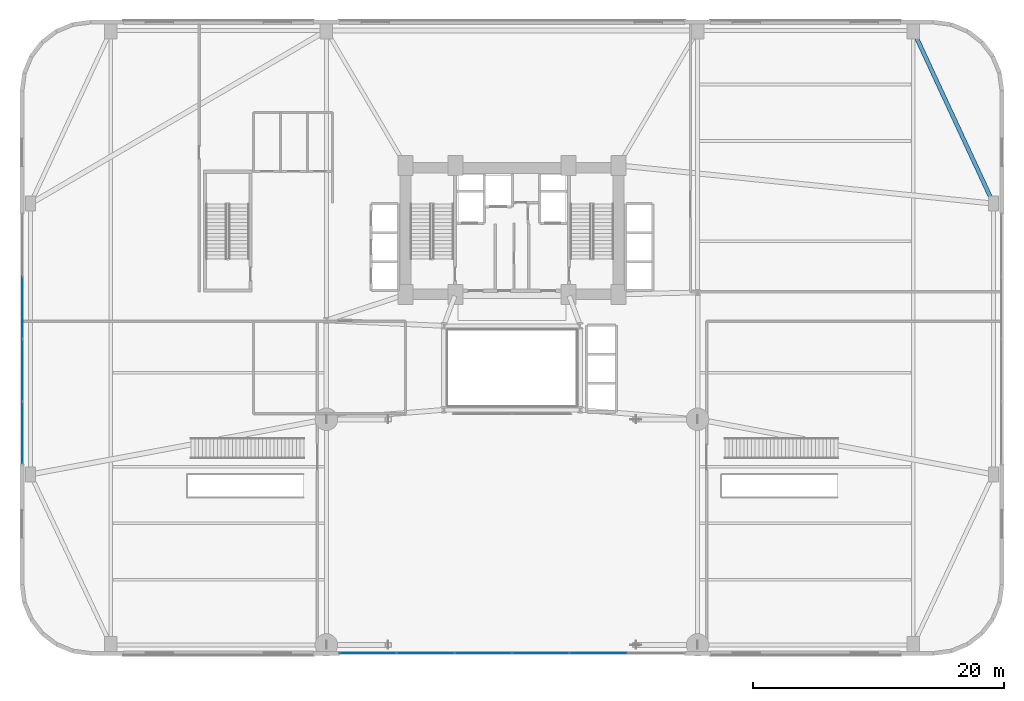
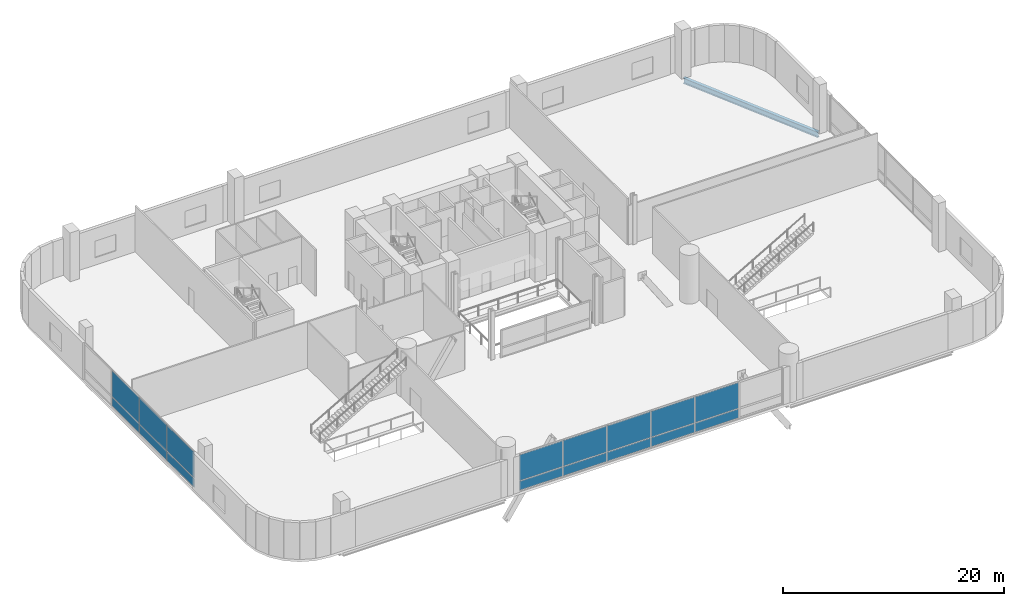
# One storey, part 24 of 40: 16 plates, 1 beam, 2 elements without a shape of their own.
"""IFC4 building model written with IfcOpenShell, lengths in metres."""

from ifc_helpers import new_model, si_unit, direction, frame, origin, origin_2d, place, context, subcontext, project, spatial, rectangle, i_section, extrude, source, transform, mapped, material, layer, layer_set, material_profile, profile_set, type_object, element, aggregate, save


model = new_model("IFC4")

# Units and contexts
model_context = context("Model", 3, precision=1e-05, world=origin(), true_north=direction((0.0, 1.0)))
body_context = subcontext(model_context, "Body", "Model", "MODEL_VIEW")
ifc_project = project(units=[si_unit("LENGTHUNIT", "METRE"), si_unit("AREAUNIT", "SQUARE_METRE"), si_unit("VOLUMEUNIT", "CUBIC_METRE"), si_unit("PLANEANGLEUNIT", "RADIAN"), si_unit("MASSUNIT", "GRAM", prefix="KILO")], contexts=[model_context])

# Site, building, storey
site_placement = place(None, origin())
site = spatial("IfcSite", under=ifc_project, at=site_placement, CompositionType="ELEMENT")
building_placement = place(site_placement, origin())
building = spatial("IfcBuilding", under=site, at=building_placement, Name="Varnelok Gate Tower", CompositionType="ELEMENT")
storey_placement = place(building_placement, frame((0.0, 0.0, 5.39990234375)))
storey = spatial("IfcBuildingStorey", under=building, at=storey_placement, Name="L01", CompositionType="ELEMENT", Elevation=5.39990234375)

# Beam
ifc_material_1 = material(Name="Structural Steel ASTM A992 Grade 50", Category="steel")
ifc_material_profile = material_profile(ifc_material_1, i_section(OverallWidth=0.323974609375, OverallDepth=0.611083984375, WebThickness=0.0126953125, FlangeThickness=0.01904296875, FilletRadius=0.01806640625, at=origin_2d()), Name="W24X104")
ifc_profile_set = profile_set([ifc_material_profile], Name="Structural Steel ASTM A992 Grade 50")
beam_type = type_object("IfcBeamType", Name="BM-SPN-W24X104", PredefinedType="SPANDREL", material=ifc_profile_set)
beam_placement = place(storey_placement, frame((77.541015625, 36.126953125, -0.58544921875), z_axis=(-0.420722638096, 0.907189319709, 0.0), x_axis=(-0.907189319709, -0.420722638096, 0.0)))
element("IfcBeam", 1, at=beam_placement, inside=storey, type_object=beam_type, Name="L01 Podium Primary Girder 11", PredefinedType="SPANDREL", context=body_context, shape_type="SweptSolid", body=[
    extrude(i_section(OverallWidth=0.323974609375, OverallDepth=0.611083984375, WebThickness=0.0126953125, FlangeThickness=0.01904296875, FilletRadius=0.01806640625, at=origin_2d()), origin(), (0.0, 0.0, 1.0), 14.931884765625),
])

# Curtain wall, plates
ifc_material_2 = material(Name="Anodized Aluminum Alloy 6063-T6", Category="aluminium")
ifc_layer_1 = layer(ifc_material_2, 0.179931640625)
ifc_layer_set_1 = layer_set([ifc_layer_1], Name="Anodized Aluminum Alloy 6063-T6")
curtain_wall_type = type_object("IfcCurtainWallType", Name="CW1-ARCH-PORTAL", PredefinedType="USERDEFINED", material=ifc_layer_set_1)
curtain_wall_1_placement = place(storey_placement, origin())
curtain_wall_1 = element("IfcCurtainWall", 2, at=curtain_wall_1_placement, inside=storey, type_object=curtain_wall_type, Name="L01 Podium Portal Curtain Wall W", ObjectType="UNITISED CURTAIN WALL", PredefinedType="USERDEFINED")
ifc_material_3 = material(Name="Low-E Laminated Double Glazing IGU", Category="glass")
ifc_layer_2 = layer(ifc_material_3, 0.028076171875)
ifc_layer_set_2 = layer_set([ifc_layer_2], Name="Low-E Laminated Double Glazing IGU")
plate_type = type_object("IfcPlateType", Name="CW-PNL-IGU28", PredefinedType="CURTAIN_PANEL", material=ifc_layer_set_2)
shared_shape_1 = source(origin(), body_context, "Body", "SweptSolid", [
    extrude(rectangle(XDim=4.887451171875, YDim=0.028076171875, at=origin_2d()), origin(), (0.0, 0.0, 1.0), 0.987548828125),
])
plate_1_placement = place(storey_placement, frame((0.159912109375, 17.71875, 0.0751953125), z_axis=(0.0, 0.0, 1.0), x_axis=(0.0, 1.0, 0.0)))
plate_1 = element("IfcPlate", 3, at=plate_1_placement, type_object=plate_type, Name="CW1 panel 1.1", PredefinedType="CURTAIN_PANEL", context=body_context, shape_type="MappedRepresentation", body=[
    mapped(shared_shape_1, transform((0.0, 0.0, 0.0), scale=1.0)),
])
shared_shape_2 = source(origin(), body_context, "Body", "SweptSolid", [
    extrude(rectangle(XDim=4.887451171875, YDim=0.028076171875, at=origin_2d()), origin(), (0.0, 0.0, 1.0), 2.857421875),
])
plate_2_placement = place(storey_placement, frame((0.159912109375, 17.71875, 1.1376953125), z_axis=(0.0, 0.0, 1.0), x_axis=(0.0, 1.0, 0.0)))
plate_2 = element("IfcPlate", 4, at=plate_2_placement, type_object=plate_type, Name="CW1 panel 1.2", PredefinedType="CURTAIN_PANEL", context=body_context, shape_type="MappedRepresentation", body=[
    mapped(shared_shape_2, transform((0.0, 0.0, 0.0), scale=1.0)),
])
shared_shape_3 = source(origin(), body_context, "Body", "SweptSolid", [
    extrude(rectangle(XDim=4.925048828125, YDim=0.028076171875, at=origin_2d()), origin(), (0.0, 0.0, 1.0), 0.987548828125),
])
plate_3_placement = place(storey_placement, frame((0.159912109375, 22.699951171875, 0.0751953125), z_axis=(0.0, 0.0, 1.0), x_axis=(0.0, 1.0, 0.0)))
plate_3 = element("IfcPlate", 5, at=plate_3_placement, type_object=plate_type, Name="CW1 panel 2.1", PredefinedType="CURTAIN_PANEL", context=body_context, shape_type="MappedRepresentation", body=[
    mapped(shared_shape_3, transform((0.0, 0.0, 0.0), scale=1.0)),
])
plate_4_placement = place(storey_placement, frame((0.159912109375, 27.699951171875, 0.0751953125), z_axis=(0.0, 0.0, 1.0), x_axis=(0.0, 1.0, 0.0)))
plate_4 = element("IfcPlate", 6, at=plate_4_placement, type_object=plate_type, Name="CW1 panel 3.1", PredefinedType="CURTAIN_PANEL", context=body_context, shape_type="MappedRepresentation", body=[
    mapped(shared_shape_3, transform((0.0, 0.0, 0.0), scale=1.0)),
])
shared_shape_4 = source(origin(), body_context, "Body", "SweptSolid", [
    extrude(rectangle(XDim=4.925048828125, YDim=0.028076171875, at=origin_2d()), origin(), (0.0, 0.0, 1.0), 2.857421875),
])
plate_5_placement = place(storey_placement, frame((0.159912109375, 22.699951171875, 1.1376953125), z_axis=(0.0, 0.0, 1.0), x_axis=(0.0, 1.0, 0.0)))
plate_5 = element("IfcPlate", 7, at=plate_5_placement, type_object=plate_type, Name="CW1 panel 2.2", PredefinedType="CURTAIN_PANEL", context=body_context, shape_type="MappedRepresentation", body=[
    mapped(shared_shape_4, transform((0.0, 0.0, 0.0), scale=1.0)),
])
plate_6_placement = place(storey_placement, frame((0.159912109375, 27.699951171875, 1.1376953125), z_axis=(0.0, 0.0, 1.0), x_axis=(0.0, 1.0, 0.0)))
plate_6 = element("IfcPlate", 8, at=plate_6_placement, type_object=plate_type, Name="CW1 panel 3.2", PredefinedType="CURTAIN_PANEL", context=body_context, shape_type="MappedRepresentation", body=[
    mapped(shared_shape_4, transform((0.0, 0.0, 0.0), scale=1.0)),
])
aggregate(curtain_wall_1, [plate_1, plate_2, plate_3, plate_5, plate_4, plate_6])

curtain_wall_2_placement = place(storey_placement, origin())
curtain_wall_2 = element("IfcCurtainWall", 9, at=curtain_wall_2_placement, inside=storey, type_object=curtain_wall_type, Name="L01 Giant Arch Portal Glazed Curtain Wall", ObjectType="UNITISED CURTAIN WALL", PredefinedType="USERDEFINED")
shared_shape_5 = source(origin(), body_context, "Body", "SweptSolid", [
    extrude(rectangle(XDim=4.487548828125, YDim=0.028076171875, at=origin_2d()), origin(), (0.0, 0.0, 1.0), 0.987548828125),
])
plate_7_placement = place(storey_placement, frame((27.71875, 0.159912109375, 0.0751953125), z_axis=(0.0, 0.0, 1.0), x_axis=(-1.0, 0.0, 0.0)))
plate_7 = element("IfcPlate", 10, at=plate_7_placement, type_object=plate_type, Name="CW1 panel 6.1", PredefinedType="CURTAIN_PANEL", context=body_context, shape_type="MappedRepresentation", body=[
    mapped(shared_shape_5, transform((0.0, 0.0, 0.0), scale=1.0)),
])
shared_shape_6 = source(origin(), body_context, "Body", "SweptSolid", [
    extrude(rectangle(XDim=4.487548828125, YDim=0.028076171875, at=origin_2d()), origin(), (0.0, 0.0, 1.0), 2.857421875),
])
plate_8_placement = place(storey_placement, frame((27.71875, 0.159912109375, 1.1376953125), z_axis=(0.0, 0.0, 1.0), x_axis=(-1.0, 0.0, 0.0)))
plate_8 = element("IfcPlate", 11, at=plate_8_placement, type_object=plate_type, Name="CW1 panel 6.2", PredefinedType="CURTAIN_PANEL", context=body_context, shape_type="MappedRepresentation", body=[
    mapped(shared_shape_6, transform((0.0, 0.0, 0.0), scale=1.0)),
])
shared_shape_7 = source(origin(), body_context, "Body", "SweptSolid", [
    extrude(rectangle(XDim=4.52490234375, YDim=0.028076171875, at=origin_2d()), origin(), (0.0, 0.0, 1.0), 0.987548828125),
])
plate_9_placement = place(storey_placement, frame((46.10009765625, 0.159912109375, 0.0751953125), z_axis=(0.0, 0.0, 1.0), x_axis=(-1.0, 0.0, 0.0)))
plate_9 = element("IfcPlate", 12, at=plate_9_placement, type_object=plate_type, Name="CW1 panel 2.1", PredefinedType="CURTAIN_PANEL", context=body_context, shape_type="MappedRepresentation", body=[
    mapped(shared_shape_7, transform((0.0, 0.0, 0.0), scale=1.0)),
])
plate_10_placement = place(storey_placement, frame((41.5, 0.159912109375, 0.0751953125), z_axis=(0.0, 0.0, 1.0), x_axis=(-1.0, 0.0, 0.0)))
plate_10 = element("IfcPlate", 13, at=plate_10_placement, type_object=plate_type, Name="CW1 panel 3.1", PredefinedType="CURTAIN_PANEL", context=body_context, shape_type="MappedRepresentation", body=[
    mapped(shared_shape_7, transform((0.0, 0.0, 0.0), scale=1.0)),
])
plate_11_placement = place(storey_placement, frame((36.89990234375, 0.159912109375, 0.0751953125), z_axis=(0.0, 0.0, 1.0), x_axis=(-1.0, 0.0, 0.0)))
plate_11 = element("IfcPlate", 14, at=plate_11_placement, type_object=plate_type, Name="CW1 panel 4.1", PredefinedType="CURTAIN_PANEL", context=body_context, shape_type="MappedRepresentation", body=[
    mapped(shared_shape_7, transform((0.0, 0.0, 0.0), scale=1.0)),
])
plate_12_placement = place(storey_placement, frame((32.300048828125, 0.159912109375, 0.0751953125), z_axis=(0.0, 0.0, 1.0), x_axis=(-1.0, 0.0, 0.0)))
plate_12 = element("IfcPlate", 15, at=plate_12_placement, type_object=plate_type, Name="CW1 panel 5.1", PredefinedType="CURTAIN_PANEL", context=body_context, shape_type="MappedRepresentation", body=[
    mapped(shared_shape_7, transform((0.0, 0.0, 0.0), scale=1.0)),
])
shared_shape_8 = source(origin(), body_context, "Body", "SweptSolid", [
    extrude(rectangle(XDim=4.52490234375, YDim=0.028076171875, at=origin_2d()), origin(), (0.0, 0.0, 1.0), 2.857421875),
])
plate_13_placement = place(storey_placement, frame((46.10009765625, 0.159912109375, 1.1376953125), z_axis=(0.0, 0.0, 1.0), x_axis=(-1.0, 0.0, 0.0)))
plate_13 = element("IfcPlate", 16, at=plate_13_placement, type_object=plate_type, Name="CW1 panel 2.2", PredefinedType="CURTAIN_PANEL", context=body_context, shape_type="MappedRepresentation", body=[
    mapped(shared_shape_8, transform((0.0, 0.0, 0.0), scale=1.0)),
])
plate_14_placement = place(storey_placement, frame((41.5, 0.159912109375, 1.1376953125), z_axis=(0.0, 0.0, 1.0), x_axis=(-1.0, 0.0, 0.0)))
plate_14 = element("IfcPlate", 17, at=plate_14_placement, type_object=plate_type, Name="CW1 panel 3.2", PredefinedType="CURTAIN_PANEL", context=body_context, shape_type="MappedRepresentation", body=[
    mapped(shared_shape_8, transform((0.0, 0.0, 0.0), scale=1.0)),
])
plate_15_placement = place(storey_placement, frame((36.89990234375, 0.159912109375, 1.1376953125), z_axis=(0.0, 0.0, 1.0), x_axis=(-1.0, 0.0, 0.0)))
plate_15 = element("IfcPlate", 18, at=plate_15_placement, type_object=plate_type, Name="CW1 panel 4.2", PredefinedType="CURTAIN_PANEL", context=body_context, shape_type="MappedRepresentation", body=[
    mapped(shared_shape_8, transform((0.0, 0.0, 0.0), scale=1.0)),
])
plate_16_placement = place(storey_placement, frame((32.300048828125, 0.159912109375, 1.1376953125), z_axis=(0.0, 0.0, 1.0), x_axis=(-1.0, 0.0, 0.0)))
plate_16 = element("IfcPlate", 19, at=plate_16_placement, type_object=plate_type, Name="CW1 panel 5.2", PredefinedType="CURTAIN_PANEL", context=body_context, shape_type="MappedRepresentation", body=[
    mapped(shared_shape_8, transform((0.0, 0.0, 0.0), scale=1.0)),
])
aggregate(curtain_wall_2, [plate_9, plate_13, plate_10, plate_14, plate_11, plate_15, plate_12, plate_16, plate_7, plate_8])

save(model, "model.ifc")
